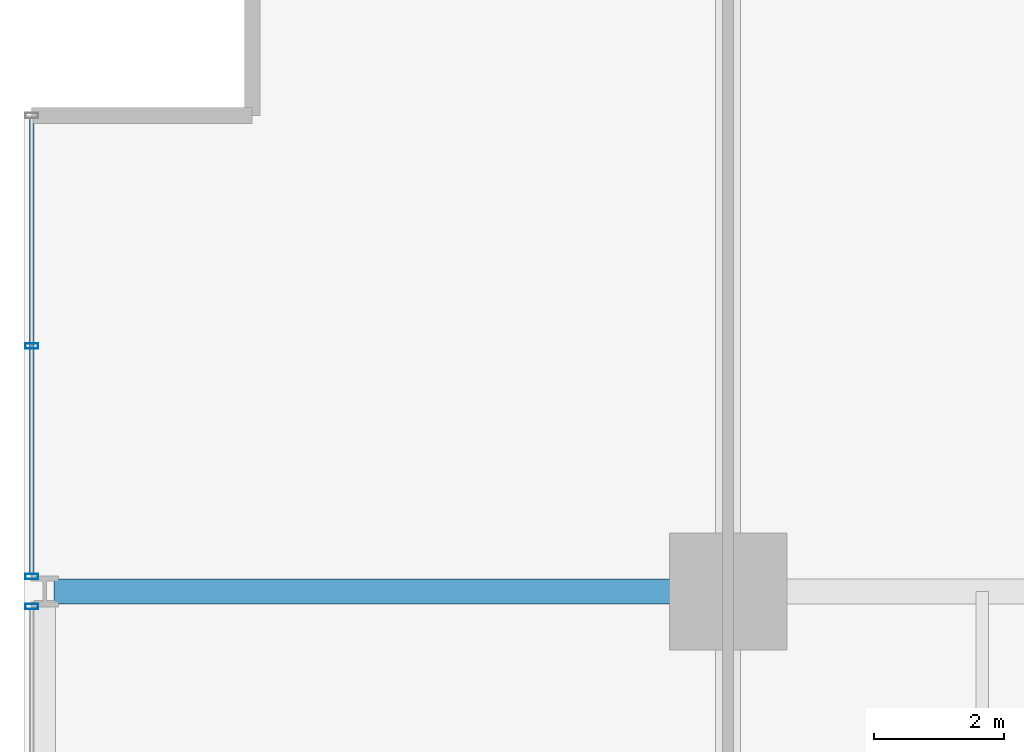
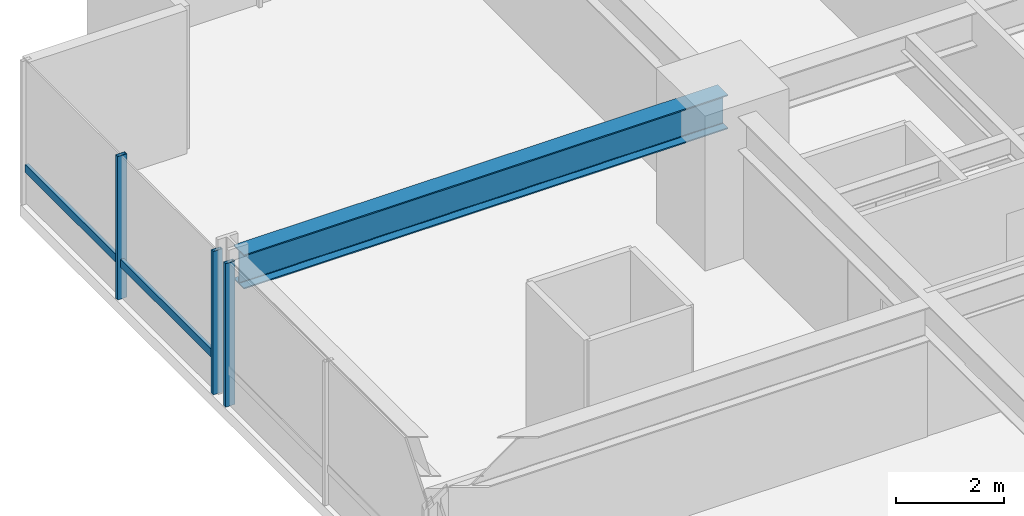
# One storey, part 19 of 38: 4 members, 1 beam, 2 elements without a shape of their own.
"""IFC4 building model written with IfcOpenShell, lengths in metres."""

from ifc_helpers import new_model, si_unit, direction, frame, origin, origin_2d, place, context, subcontext, project, spatial, hollow_rectangle, i_section, extrude, material, layer, layer_set, material_profile, profile_set, type_object, element, aggregate, save


model = new_model("IFC4")

# Units and contexts
model_context = context("Model", 3, precision=1e-05, world=origin(), true_north=direction((0.0, 1.0)))
body_context = subcontext(model_context, "Body", "Model", "MODEL_VIEW")
ifc_project = project(units=[si_unit("LENGTHUNIT", "METRE"), si_unit("AREAUNIT", "SQUARE_METRE"), si_unit("VOLUMEUNIT", "CUBIC_METRE"), si_unit("PLANEANGLEUNIT", "RADIAN"), si_unit("MASSUNIT", "GRAM", prefix="KILO")], contexts=[model_context])

# Site, building, storey
site_placement = place(None, origin())
site = spatial("IfcSite", under=ifc_project, at=site_placement, CompositionType="ELEMENT")
building_placement = place(site_placement, origin())
building = spatial("IfcBuilding", under=site, at=building_placement, Name="Drelvath Grand Hotel", CompositionType="ELEMENT")
storey_placement = place(building_placement, frame((0.0, 0.0, 68.199951171875)))
storey = spatial("IfcBuildingStorey", under=building, at=storey_placement, Name="L16", CompositionType="ELEMENT", Elevation=68.199951171875)

# Curtain wall, member
ifc_material_1 = material(Name="Warm Bronze Anodised Aluminium Frame", Category="aluminium")
ifc_layer = layer(ifc_material_1, 0.199951171875)
ifc_layer_set = layer_set([ifc_layer], Name="Warm Bronze Anodised Aluminium Frame")
curtain_wall_type = type_object("IfcCurtainWallType", Name="Stick Curtain Wall CW-02 Warm Bronze Low-Rise", PredefinedType="NOTDEFINED", material=ifc_layer_set)
curtain_wall_1_placement = place(storey_placement, origin())
curtain_wall_1 = element("IfcCurtainWall", 1, at=curtain_wall_1_placement, inside=storey, type_object=curtain_wall_type, Name="L16 CW-02 Curtain Wall CW02-L16-WN3", PredefinedType="NOTDEFINED")
ifc_material_profile_1 = material_profile(ifc_material_1, hollow_rectangle(XDim=0.074951171875, YDim=0.179931640625, WallThickness=0.0048828125, at=origin_2d()), Name="HSS180X75X5")
ifc_profile_set_1 = profile_set([ifc_material_profile_1], Name="Warm Bronze Anodised Aluminium Frame")
member_type_1 = type_object("IfcMemberType", Name="Curtain Wall Horizontal Transom CW-02 HSS180X75X5", PredefinedType="USERDEFINED", material=ifc_profile_set_1)
member_1_placement = place(storey_placement, frame((-26.8798828125, 43.468994140625, 0.81005859375), z_axis=(0.0, 1.0, 0.0), x_axis=(-1.0, 0.0, 0.0)))
member_1 = element("IfcMember", 2, at=member_1_placement, type_object=member_type_1, Name="CW02-L16-WN3 Sill Transom", ObjectType="TRANSOM", PredefinedType="USERDEFINED", context=body_context, shape_type="SweptSolid", body=[
    extrude(hollow_rectangle(XDim=0.074951171875, YDim=0.179931640625, WallThickness=0.0048828125, at=origin_2d()), origin(), (0.0, 0.0, 1.0), 6.990966796875),
])

curtain_wall_2_placement = place(storey_placement, origin())
curtain_wall_2 = element("IfcCurtainWall", 3, at=curtain_wall_2_placement, inside=storey, type_object=curtain_wall_type, Name="L16 CW-02 Curtain Wall CW02-L16-WN2", PredefinedType="NOTDEFINED")
ifc_material_profile_2 = material_profile(ifc_material_1, hollow_rectangle(XDim=0.080078125, YDim=0.199951171875, WallThickness=0.0048828125, at=origin_2d()), Name="HSS200X80X5")
ifc_profile_set_2 = profile_set([ifc_material_profile_2], Name="Warm Bronze Anodised Aluminium Frame")
member_type_2 = type_object("IfcMemberType", Name="Curtain Wall Vertical Mullion CW-02 HSS200X80X5", PredefinedType="MULLION", material=ifc_profile_set_2)
member_2_placement = place(storey_placement, frame((-26.8798828125, 42.970947265625, 0.0), z_axis=(0.0, 0.0, 1.0), x_axis=(0.0, 1.0, 0.0)))
member_2 = element("IfcMember", 4, at=member_2_placement, type_object=member_type_2, Name="CW02-L16-WN2 Mullion 3", PredefinedType="MULLION", context=body_context, shape_type="SweptSolid", body=[
    extrude(hollow_rectangle(XDim=0.080078125, YDim=0.199951171875, WallThickness=0.0048828125, at=origin_2d()), origin(), (0.0, 0.0, 1.0), 3.239990234375),
])
aggregate(curtain_wall_2, [member_2])

# Member
member_3_placement = place(storey_placement, frame((-26.8798828125, 43.42919921875, 0.0), z_axis=(0.0, 0.0, 1.0), x_axis=(0.0, 1.0, 0.0)))
member_3 = element("IfcMember", 5, at=member_3_placement, type_object=member_type_2, Name="CW02-L16-WN3 Mullion 1", PredefinedType="MULLION", context=body_context, shape_type="SweptSolid", body=[
    extrude(hollow_rectangle(XDim=0.080078125, YDim=0.199951171875, WallThickness=0.0048828125, at=origin_2d()), origin(), (0.0, 0.0, 1.0), 3.239990234375),
])

member_4_placement = place(storey_placement, frame((-26.8798828125, 46.964599609375, 0.0), z_axis=(0.0, 0.0, 1.0), x_axis=(0.0, 1.0, 0.0)))
member_4 = element("IfcMember", 6, at=member_4_placement, type_object=member_type_2, Name="CW02-L16-WN3 Mullion 2", PredefinedType="MULLION", context=body_context, shape_type="SweptSolid", body=[
    extrude(hollow_rectangle(XDim=0.080078125, YDim=0.199951171875, WallThickness=0.0048828125, at=origin_2d()), origin(), (0.0, 0.0, 1.0), 3.239990234375),
])

aggregate(curtain_wall_1, [member_3, member_4, member_1])

# Beam
ifc_material_2 = material(Name="Steel ASTM A992 Gr 50", Category="steel")
ifc_material_profile_3 = material_profile(ifc_material_2, i_section(OverallWidth=0.380615234375, OverallDepth=0.773193359375, WebThickness=0.0166015625, FlangeThickness=0.027099609375, FilletRadius=0.02490234375, at=origin_2d()), Name="W30X173")
ifc_profile_set_3 = profile_set([ifc_material_profile_3], Name="Steel ASTM A992 Gr 50")
beam_type = type_object("IfcBeamType", Name="Primary Floor Girder W30X173", PredefinedType="BEAM", material=ifc_profile_set_3)
beam_placement = place(storey_placement, frame((-26.5400390625, 43.199951171875, 2.853515625), z_axis=(1.0, 0.0, 0.0), x_axis=(0.0, 1.0, 0.0)))
element("IfcBeam", 7, at=beam_placement, inside=storey, type_object=beam_type, Name="L16 West Grid Girder G", PredefinedType="BEAM", context=body_context, shape_type="SweptSolid", body=[
    extrude(i_section(OverallWidth=0.380615234375, OverallDepth=0.773193359375, WebThickness=0.0166015625, FlangeThickness=0.027099609375, FilletRadius=0.02490234375, at=origin_2d()), origin(), (0.0, 0.0, 1.0), 10.340087890625),
])

save(model, "model.ifc")
